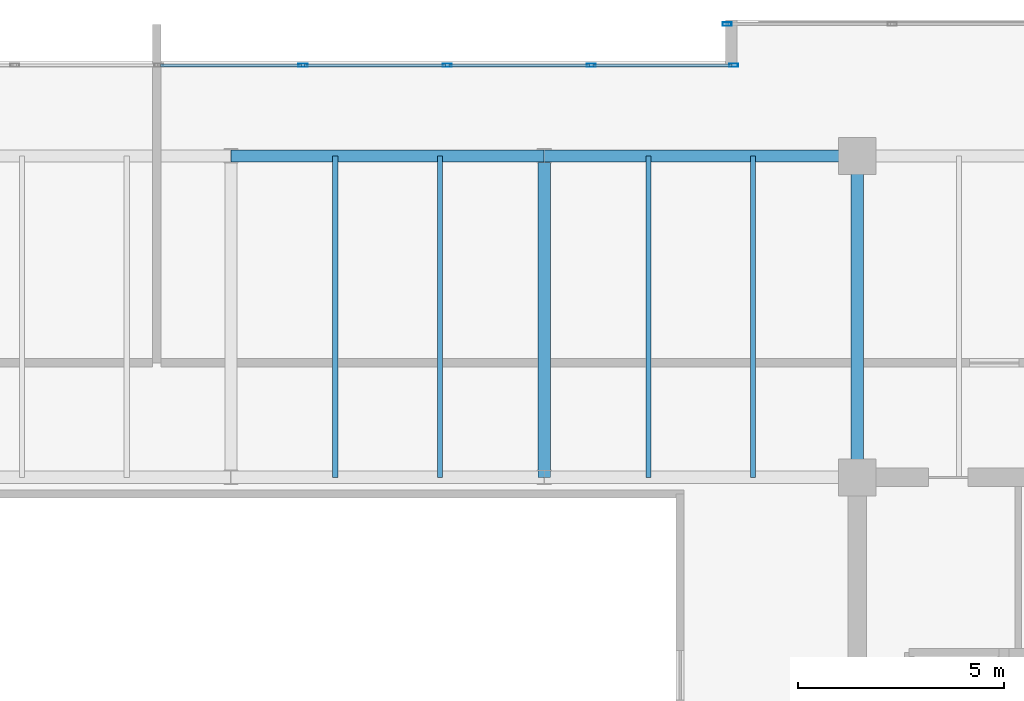
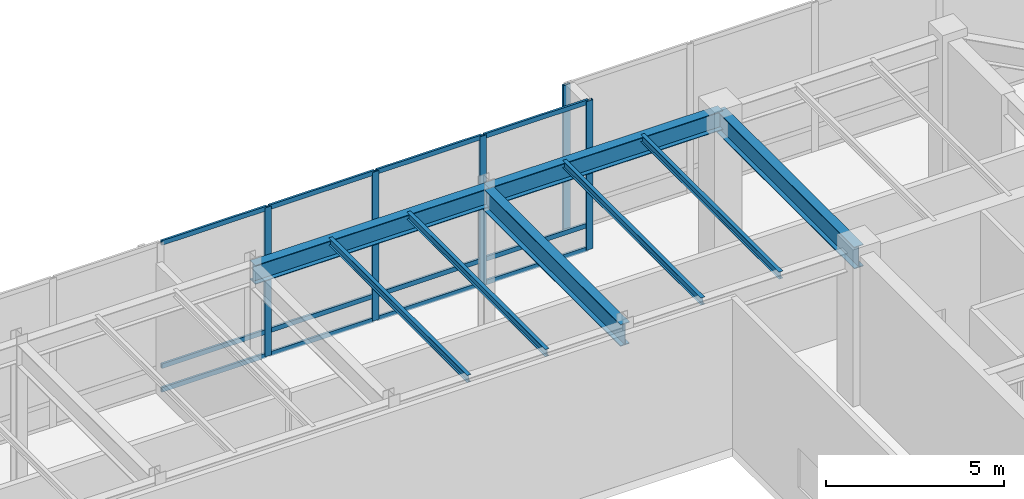
# One storey, part 20 of 30: 17 members, 8 beams, 2 elements without a shape of their own.
"""IFC4 building model written with IfcOpenShell, lengths in metres."""

from ifc_helpers import new_model, si_unit, direction, frame, origin, origin_2d, place, context, subcontext, project, spatial, hollow_rectangle, i_section, extrude, source, transform, mapped, material, layer, layer_set, material_profile, profile_set, type_object, type_shapes, element, aggregate, save


model = new_model("IFC4")

# Units and contexts
model_context = context("Model", 3, precision=1e-05, world=origin(), true_north=direction((0.0, 1.0)))
body_context = subcontext(model_context, "Body", "Model", "MODEL_VIEW")
ifc_project = project(units=[si_unit("LENGTHUNIT", "METRE"), si_unit("AREAUNIT", "SQUARE_METRE"), si_unit("VOLUMEUNIT", "CUBIC_METRE"), si_unit("PLANEANGLEUNIT", "RADIAN"), si_unit("MASSUNIT", "GRAM", prefix="KILO")], contexts=[model_context])

# Site, building, storey
site_placement = place(None, origin())
site = spatial("IfcSite", under=ifc_project, at=site_placement, CompositionType="ELEMENT")
building_placement = place(site_placement, origin())
building = spatial("IfcBuilding", under=site, at=building_placement, Name="Haelvirn Gate Laboratories", CompositionType="ELEMENT")
storey_placement = place(building_placement, frame((0.0, 0.0, 332.39990234375)))
storey = spatial("IfcBuildingStorey", under=building, at=storey_placement, Name="L79", CompositionType="ELEMENT", Elevation=332.39990234375)

# Beams
ifc_material_1 = material(Name="Steel SM355", Category="steel")
ifc_material_profile_1 = material_profile(ifc_material_1, i_section(OverallWidth=0.300048828125, OverallDepth=0.75, WebThickness=0.013916015625, FlangeThickness=0.02392578125, at=origin_2d()), Name="H-750x300x14x24")
ifc_profile_set_1 = profile_set([ifc_material_profile_1], Name="Steel SM355")
beam_type_1 = type_object("IfcBeamType", Name="BM-G-750", PredefinedType="BEAM", material=ifc_profile_set_1)
shared_shape_1 = source(origin(), body_context, "Body", "SweptSolid", [
    extrude(i_section(OverallWidth=0.300048828125, OverallDepth=0.75, WebThickness=0.013916015625, FlangeThickness=0.02392578125, at=origin_2d()), origin(), (0.0, 0.0, 1.0), 7.800048828125),
])
type_shapes(beam_type_1, [shared_shape_1])
for number, where, z_axis, x_axis, name in (
    (1, (45.0, 33.800048828125, 4.7451171875), (0.0, 1.0, 0.0), (-1.0, 0.0, 0.0), "L79 Frame Girder X45.0 (33.8-41.6)"),
    (2, (52.60009765625, 33.800048828125, 4.7451171875), (0.0, 1.0, 0.0), (-1.0, 0.0, 0.0), "L79 Frame Girder X52.6 (33.8-41.6)"),
):
    element("IfcBeam", number, at=place(storey_placement, frame(where, z_axis=z_axis, x_axis=x_axis)), inside=storey, type_object=beam_type_1, Name=name, PredefinedType="BEAM", context=body_context, shape_type="MappedRepresentation", body=[
        mapped(shared_shape_1, transform((0.0, 0.0, 0.0), scale=1.0)),
    ])
ifc_material_profile_2 = material_profile(ifc_material_1, i_section(OverallWidth=0.300048828125, OverallDepth=0.64990234375, WebThickness=0.012939453125, FlangeThickness=0.02197265625, at=origin_2d()), Name="H-650x300x13x22")
ifc_profile_set_2 = profile_set([ifc_material_profile_2], Name="Steel SM355")
beam_type_2 = type_object("IfcBeamType", Name="BM-G-650", PredefinedType="BEAM", material=ifc_profile_set_2)
shared_shape_2 = source(origin(), body_context, "Body", "SweptSolid", [
    extrude(i_section(OverallWidth=0.300048828125, OverallDepth=0.64990234375, WebThickness=0.012939453125, FlangeThickness=0.02197265625, at=origin_2d()), origin(), (0.0, 0.0, 1.0), 7.60009765625),
])
type_shapes(beam_type_2, [shared_shape_2])
for number, where, z_axis, x_axis, name in (
    (3, (37.39990234375, 41.60009765625, 4.795166015625), (1.0, 0.0, 0.0), (0.0, 1.0, 0.0), "L79 Primary Girder Y41.6 (37.4-45.0)"),
    (4, (45.0, 41.60009765625, 4.795166015625), (1.0, 0.0, 0.0), (0.0, 1.0, 0.0), "L79 Primary Girder Y41.6 (45.0-52.6)"),
):
    element("IfcBeam", number, at=place(storey_placement, frame(where, z_axis=z_axis, x_axis=x_axis)), inside=storey, type_object=beam_type_2, Name=name, PredefinedType="BEAM", context=body_context, shape_type="MappedRepresentation", body=[
        mapped(shared_shape_2, transform((0.0, 0.0, 0.0), scale=1.0)),
    ])
ifc_material_profile_3 = material_profile(ifc_material_1, i_section(OverallWidth=0.125, OverallDepth=0.25, WebThickness=0.006103515625, FlangeThickness=0.009033203125, at=origin_2d()), Name="H-250x125x6x9")
ifc_profile_set_3 = profile_set([ifc_material_profile_3], Name="Steel SM355")
beam_type_3 = type_object("IfcBeamType", Name="BM-J-250", PredefinedType="JOIST", material=ifc_profile_set_3)
shared_shape_3 = source(origin(), body_context, "Body", "SweptSolid", [
    extrude(i_section(OverallWidth=0.125, OverallDepth=0.25, WebThickness=0.006103515625, FlangeThickness=0.009033203125, at=origin_2d()), origin(), (0.0, 0.0, 1.0), 7.800048828125),
])
type_shapes(beam_type_3, [shared_shape_3])
for number, where, z_axis, x_axis, name in (
    (5, (39.929931640625, 33.800048828125, 4.9951171875), (0.0, 1.0, 0.0), (-1.0, 0.0, 0.0), "L79 Composite Lab Joist North X39.93"),
    (6, (42.469970703125, 33.800048828125, 4.9951171875), (0.0, 1.0, 0.0), (-1.0, 0.0, 0.0), "L79 Composite Lab Joist North X42.47"),
    (7, (47.530029296875, 33.800048828125, 4.9951171875), (0.0, 1.0, 0.0), (-1.0, 0.0, 0.0), "L79 Composite Lab Joist North X47.53"),
    (8, (50.070068359375, 33.800048828125, 4.9951171875), (0.0, 1.0, 0.0), (-1.0, 0.0, 0.0), "L79 Composite Lab Joist North X50.07"),
):
    element("IfcBeam", number, at=place(storey_placement, frame(where, z_axis=z_axis, x_axis=x_axis)), inside=storey, type_object=beam_type_3, Name=name, PredefinedType="JOIST", context=body_context, shape_type="MappedRepresentation", body=[
        mapped(shared_shape_3, transform((0.0, 0.0, 0.0), scale=1.0)),
    ])

# Curtain wall, member
ifc_material_2 = material(Name="Anodised bronze unitised aluminium & triple low-E glass", Category="aluminium")
ifc_layer = layer(ifc_material_2, 0.19189453125, Name="CW-SYS-6")
ifc_layer_set = layer_set([ifc_layer], Name="Anodised bronze unitised aluminium & triple low-E glass")
curtain_wall_type = type_object("IfcCurtainWallType", Name="CW-SYS-6", PredefinedType="NOTDEFINED", material=ifc_layer_set)
curtain_wall_1_placement = place(storey_placement, origin())
curtain_wall_1 = element("IfcCurtainWall", 9, at=curtain_wall_1_placement, inside=storey, type_object=curtain_wall_type, Name="L79 Unitised Curtain Wall CW-L79-P0-E10-1", PredefinedType="NOTDEFINED")
ifc_material_3 = material(Name="Extruded aluminium 6063-T6 (anodised bronze)", Category="aluminium")
ifc_material_profile_4 = material_profile(ifc_material_3, hollow_rectangle(XDim=0.080078125, YDim=0.219970703125, WallThickness=0.006103515625, at=origin_2d()), Name="CWM-220x80x6")
ifc_profile_set_4 = profile_set([ifc_material_profile_4], Name="Extruded aluminium 6063-T6 (anodised bronze)")
member_type_1 = type_object("IfcMemberType", Name="CWM-T220", PredefinedType="MULLION", material=ifc_profile_set_4)
shared_shape_4 = source(origin(), body_context, "Body", "SweptSolid", [
    extrude(hollow_rectangle(XDim=0.080078125, YDim=0.219970703125, WallThickness=0.006103515625, at=origin_2d()), origin(), (0.0, 0.0, 1.0), 5.1201171875),
])
type_shapes(member_type_1, [shared_shape_4])
member_1_placement = place(storey_placement, frame((49.43994140625, 44.800048828125, 0.0), z_axis=(0.0, 0.0, 1.0), x_axis=(0.0, 1.0, 0.0)))
member_1 = element("IfcMember", 10, at=member_1_placement, type_object=member_type_1, Name="CW6 mullion 1", PredefinedType="MULLION", context=body_context, shape_type="MappedRepresentation", body=[
    mapped(shared_shape_4, transform((0.0, 0.0, 0.0), scale=1.0)),
])
aggregate(curtain_wall_1, [member_1])

# Curtain wall, members
curtain_wall_2_placement = place(storey_placement, origin())
curtain_wall_2 = element("IfcCurtainWall", 11, at=curtain_wall_2_placement, inside=storey, type_object=curtain_wall_type, Name="L79 Unitised Curtain Wall CW-L79-P0-E12-1", PredefinedType="NOTDEFINED")
member_2_placement = place(storey_placement, frame((39.148681640625, 43.800048828125, 0.0), z_axis=(0.0, 0.0, 1.0), x_axis=(0.0, 1.0, 0.0)))
member_2 = element("IfcMember", 12, at=member_2_placement, type_object=member_type_1, Name="CW6 mullion 5", PredefinedType="MULLION", context=body_context, shape_type="MappedRepresentation", body=[
    mapped(shared_shape_4, transform((0.0, 0.0, 0.0), scale=1.0)),
])
member_3_placement = place(storey_placement, frame((42.645751953125, 43.800048828125, 0.0), z_axis=(0.0, 0.0, 1.0), x_axis=(0.0, 1.0, 0.0)))
member_3 = element("IfcMember", 13, at=member_3_placement, type_object=member_type_1, Name="CW6 mullion 6", PredefinedType="MULLION", context=body_context, shape_type="MappedRepresentation", body=[
    mapped(shared_shape_4, transform((0.0, 0.0, 0.0), scale=1.0)),
])
member_4_placement = place(storey_placement, frame((46.142822265625, 43.800048828125, 0.0), z_axis=(0.0, 0.0, 1.0), x_axis=(0.0, 1.0, 0.0)))
member_4 = element("IfcMember", 14, at=member_4_placement, type_object=member_type_1, Name="CW6 mullion 7", PredefinedType="MULLION", context=body_context, shape_type="MappedRepresentation", body=[
    mapped(shared_shape_4, transform((0.0, 0.0, 0.0), scale=1.0)),
])
member_5_placement = place(storey_placement, frame((49.60009765625, 43.800048828125, 0.0), z_axis=(0.0, 0.0, 1.0), x_axis=(0.0, 1.0, 0.0)))
member_5 = element("IfcMember", 15, at=member_5_placement, type_object=member_type_1, Name="CW6 mullion 8", PredefinedType="MULLION", context=body_context, shape_type="MappedRepresentation", body=[
    mapped(shared_shape_4, transform((0.0, 0.0, 0.0), scale=1.0)),
])
ifc_material_profile_5 = material_profile(ifc_material_3, hollow_rectangle(XDim=0.070068359375, YDim=0.159912109375, WallThickness=0.0048828125, at=origin_2d()), Name="CWT-160x70x5")
ifc_profile_set_5 = profile_set([ifc_material_profile_5], Name="Extruded aluminium 6063-T6 (anodised bronze)")
member_type_2 = type_object("IfcMemberType", Name="CWT-T160", PredefinedType="USERDEFINED", material=ifc_profile_set_5)
shared_shape_5 = source(origin(), body_context, "Body", "SweptSolid", [
    extrude(hollow_rectangle(XDim=0.070068359375, YDim=0.159912109375, WallThickness=0.0048828125, at=origin_2d()), origin(), (0.0, 0.0, 1.0), 3.377197265625),
])
member_6_placement = place(storey_placement, frame((46.182861328125, 43.800048828125, 0.03515625), z_axis=(1.0, 0.0, 0.0), x_axis=(0.0, 1.0, 0.0)))
member_6 = element("IfcMember", 16, at=member_6_placement, type_object=member_type_2, Name="CW6 transom 7.1", ObjectType="TRANSOM", PredefinedType="USERDEFINED", context=body_context, shape_type="MappedRepresentation", body=[
    mapped(shared_shape_5, transform((0.0, 0.0, 0.0), scale=1.0)),
])
member_7_placement = place(storey_placement, frame((46.182861328125, 43.800048828125, 0.85009765625), z_axis=(1.0, 0.0, 0.0), x_axis=(0.0, 1.0, 0.0)))
member_7 = element("IfcMember", 17, at=member_7_placement, type_object=member_type_2, Name="CW6 transom 7.2", ObjectType="TRANSOM", PredefinedType="USERDEFINED", context=body_context, shape_type="MappedRepresentation", body=[
    mapped(shared_shape_5, transform((0.0, 0.0, 0.0), scale=1.0)),
])
member_8_placement = place(storey_placement, frame((46.182861328125, 43.800048828125, 5.085205078125), z_axis=(1.0, 0.0, 0.0), x_axis=(0.0, 1.0, 0.0)))
member_8 = element("IfcMember", 18, at=member_8_placement, type_object=member_type_2, Name="CW6 transom 7.3", ObjectType="TRANSOM", PredefinedType="USERDEFINED", context=body_context, shape_type="MappedRepresentation", body=[
    mapped(shared_shape_5, transform((0.0, 0.0, 0.0), scale=1.0)),
])
shared_shape_6 = source(origin(), body_context, "Body", "SweptSolid", [
    extrude(hollow_rectangle(XDim=0.070068359375, YDim=0.159912109375, WallThickness=0.0048828125, at=origin_2d()), origin(), (0.0, 0.0, 1.0), 3.417236328125),
])
member_9_placement = place(storey_placement, frame((35.69140625, 43.800048828125, 0.03515625), z_axis=(1.0, 0.0, 0.0), x_axis=(0.0, 1.0, 0.0)))
member_9 = element("IfcMember", 19, at=member_9_placement, type_object=member_type_2, Name="CW6 transom 4.1", ObjectType="TRANSOM", PredefinedType="USERDEFINED", context=body_context, shape_type="MappedRepresentation", body=[
    mapped(shared_shape_6, transform((0.0, 0.0, 0.0), scale=1.0)),
])
member_10_placement = place(storey_placement, frame((35.69140625, 43.800048828125, 0.85009765625), z_axis=(1.0, 0.0, 0.0), x_axis=(0.0, 1.0, 0.0)))
member_10 = element("IfcMember", 20, at=member_10_placement, type_object=member_type_2, Name="CW6 transom 4.2", ObjectType="TRANSOM", PredefinedType="USERDEFINED", context=body_context, shape_type="MappedRepresentation", body=[
    mapped(shared_shape_6, transform((0.0, 0.0, 0.0), scale=1.0)),
])
member_11_placement = place(storey_placement, frame((35.69140625, 43.800048828125, 5.085205078125), z_axis=(1.0, 0.0, 0.0), x_axis=(0.0, 1.0, 0.0)))
member_11 = element("IfcMember", 21, at=member_11_placement, type_object=member_type_2, Name="CW6 transom 4.3", ObjectType="TRANSOM", PredefinedType="USERDEFINED", context=body_context, shape_type="MappedRepresentation", body=[
    mapped(shared_shape_6, transform((0.0, 0.0, 0.0), scale=1.0)),
])
member_12_placement = place(storey_placement, frame((39.1884765625, 43.800048828125, 0.03515625), z_axis=(1.0, 0.0, 0.0), x_axis=(0.0, 1.0, 0.0)))
member_12 = element("IfcMember", 22, at=member_12_placement, type_object=member_type_2, Name="CW6 transom 5.1", ObjectType="TRANSOM", PredefinedType="USERDEFINED", context=body_context, shape_type="MappedRepresentation", body=[
    mapped(shared_shape_6, transform((0.0, 0.0, 0.0), scale=1.0)),
])
member_13_placement = place(storey_placement, frame((39.1884765625, 43.800048828125, 0.85009765625), z_axis=(1.0, 0.0, 0.0), x_axis=(0.0, 1.0, 0.0)))
member_13 = element("IfcMember", 23, at=member_13_placement, type_object=member_type_2, Name="CW6 transom 5.2", ObjectType="TRANSOM", PredefinedType="USERDEFINED", context=body_context, shape_type="MappedRepresentation", body=[
    mapped(shared_shape_6, transform((0.0, 0.0, 0.0), scale=1.0)),
])
member_14_placement = place(storey_placement, frame((39.1884765625, 43.800048828125, 5.085205078125), z_axis=(1.0, 0.0, 0.0), x_axis=(0.0, 1.0, 0.0)))
member_14 = element("IfcMember", 24, at=member_14_placement, type_object=member_type_2, Name="CW6 transom 5.3", ObjectType="TRANSOM", PredefinedType="USERDEFINED", context=body_context, shape_type="MappedRepresentation", body=[
    mapped(shared_shape_6, transform((0.0, 0.0, 0.0), scale=1.0)),
])
shared_shape_7 = source(origin(), body_context, "Body", "SweptSolid", [
    extrude(hollow_rectangle(XDim=0.070068359375, YDim=0.159912109375, WallThickness=0.0048828125, at=origin_2d()), origin(), (0.0, 0.0, 1.0), 3.4169921875),
])
type_shapes(member_type_2, [shared_shape_5, shared_shape_6, shared_shape_7])
member_15_placement = place(storey_placement, frame((42.685791015625, 43.800048828125, 0.03515625), z_axis=(1.0, 0.0, 0.0), x_axis=(0.0, 1.0, 0.0)))
member_15 = element("IfcMember", 25, at=member_15_placement, type_object=member_type_2, Name="CW6 transom 6.1", ObjectType="TRANSOM", PredefinedType="USERDEFINED", context=body_context, shape_type="MappedRepresentation", body=[
    mapped(shared_shape_7, transform((0.0, 0.0, 0.0), scale=1.0)),
])
member_16_placement = place(storey_placement, frame((42.685791015625, 43.800048828125, 0.85009765625), z_axis=(1.0, 0.0, 0.0), x_axis=(0.0, 1.0, 0.0)))
member_16 = element("IfcMember", 26, at=member_16_placement, type_object=member_type_2, Name="CW6 transom 6.2", ObjectType="TRANSOM", PredefinedType="USERDEFINED", context=body_context, shape_type="MappedRepresentation", body=[
    mapped(shared_shape_7, transform((0.0, 0.0, 0.0), scale=1.0)),
])
member_17_placement = place(storey_placement, frame((42.685791015625, 43.800048828125, 5.085205078125), z_axis=(1.0, 0.0, 0.0), x_axis=(0.0, 1.0, 0.0)))
member_17 = element("IfcMember", 27, at=member_17_placement, type_object=member_type_2, Name="CW6 transom 6.3", ObjectType="TRANSOM", PredefinedType="USERDEFINED", context=body_context, shape_type="MappedRepresentation", body=[
    mapped(shared_shape_7, transform((0.0, 0.0, 0.0), scale=1.0)),
])
aggregate(curtain_wall_2, [member_2, member_3, member_4, member_5, member_9, member_10, member_11, member_12, member_13, member_14, member_15, member_16, member_17, member_6, member_7, member_8])

save(model, "model.ifc")
